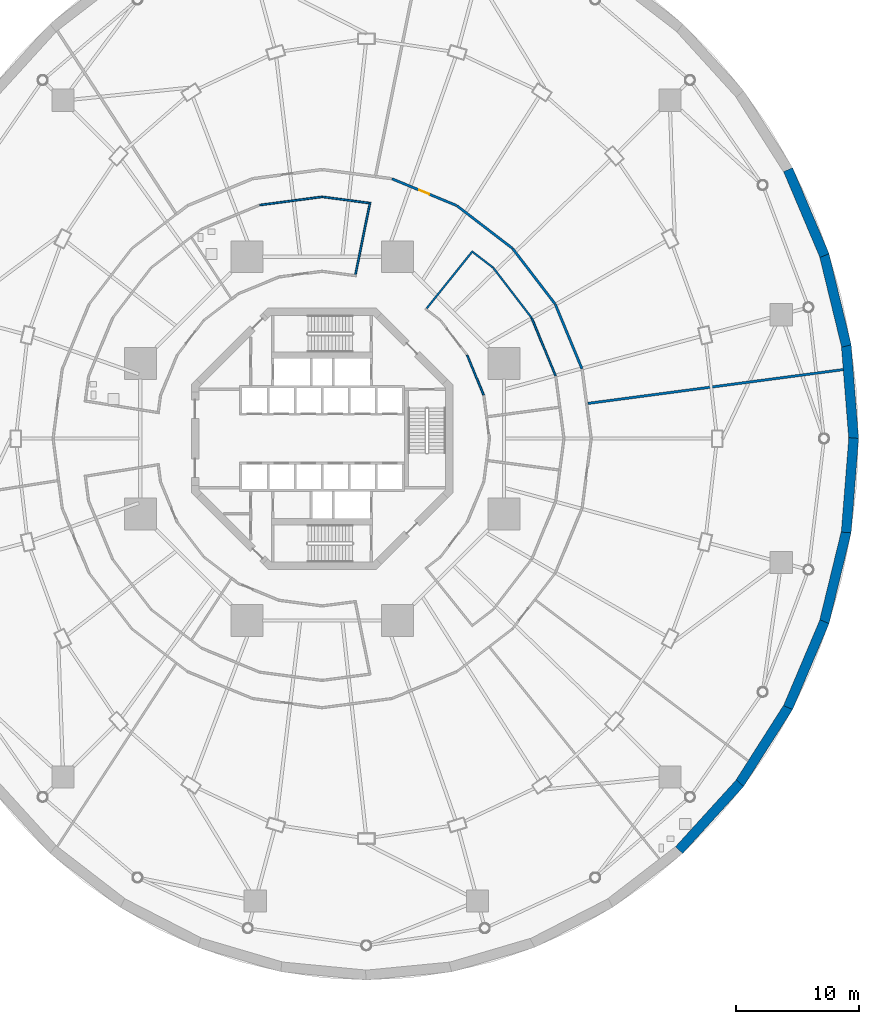
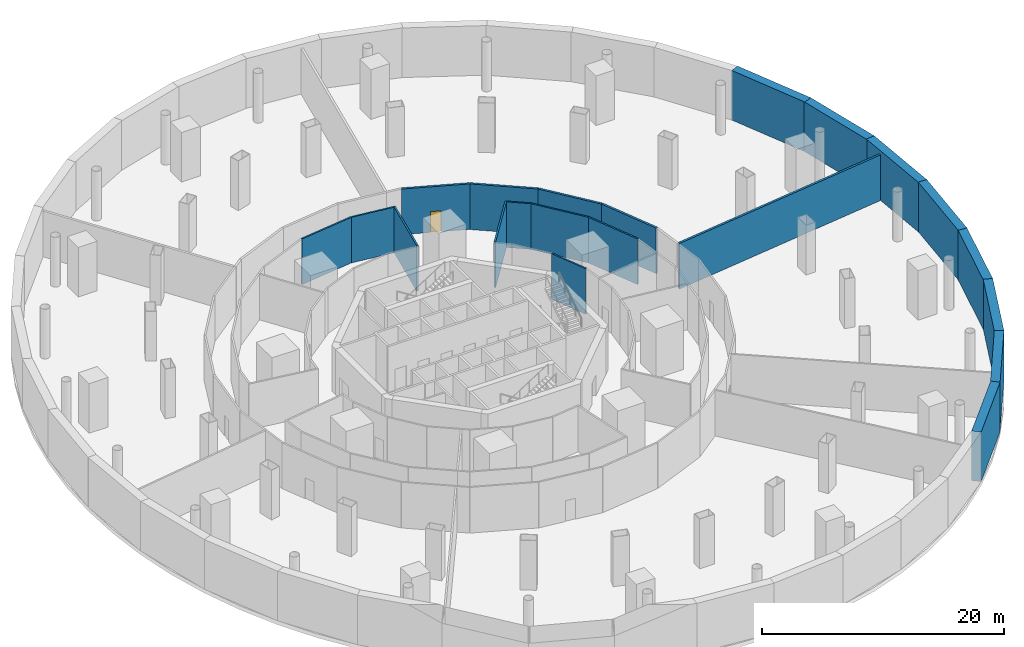
# One storey, part 10 of 14: 21 walls, 1 door, 1 opening.
"""IFC4 building model written with IfcOpenShell, lengths in metres."""

from ifc_helpers import new_model, si_unit, direction, frame, frame_2d, origin, place, context, subcontext, project, spatial, rectangle, extrude, material, layer, layer_set, type_object, element, fill, save


model = new_model("IFC4")

# Units and contexts
model_context = context("Model", 3, precision=1e-05, world=origin(), true_north=direction((0.0, 1.0)))
body_context = subcontext(model_context, "Body", "Model", "MODEL_VIEW")
ifc_project = project(units=[si_unit("LENGTHUNIT", "METRE"), si_unit("AREAUNIT", "SQUARE_METRE"), si_unit("VOLUMEUNIT", "CUBIC_METRE"), si_unit("PLANEANGLEUNIT", "RADIAN"), si_unit("MASSUNIT", "GRAM", prefix="KILO")], contexts=[model_context])

# Site, building, storey
site_placement = place(None, origin())
site = spatial("IfcSite", under=ifc_project, at=site_placement, CompositionType="ELEMENT")
building_placement = place(site_placement, origin())
building = spatial("IfcBuilding", under=site, at=building_placement, Name="Nagisa Residences", CompositionType="ELEMENT")
storey_placement = place(building_placement, frame((0.0, 0.0, -5.0)))
storey = spatial("IfcBuildingStorey", under=building, at=storey_placement, Name="B1", CompositionType="ELEMENT", Elevation=-5.0)

# Walls
ifc_material_1 = material(Name="Concrete C40", Category="concrete")
ifc_layer_1 = layer(ifc_material_1, 0.800048828125)
ifc_layer_set_1 = layer_set([ifc_layer_1], Name="Basement retaining wall 800")
wall_type_1 = type_object("IfcWallType", Name="Basement retaining wall 800", PredefinedType="SOLIDWALL", material=ifc_layer_set_1)
wall_1_placement = place(storey_placement, frame((43.20361328125, 0.0498046875, 0.0), z_axis=(0.0, 0.0, 1.0), x_axis=(-0.079287821658, -0.996851764977, 0.0)))
element("IfcWall", 1, at=wall_1_placement, inside=storey, type_object=wall_type_1, Name="wall:B1:ret01", PredefinedType="SOLIDWALL", context=body_context, shape_type="SweptSolid", body=[
    extrude(rectangle(XDim=7.700927734375, YDim=0.800048828125, at=frame_2d((3.8505859375, 0.0))), origin(), (0.0, 0.0, 1.0), 5.0),
])
wall_2_placement = place(storey_placement, frame((42.60888671875, -7.528564453125, 0.0), z_axis=(0.0, 0.0, 1.0), x_axis=(-0.236659774211, -0.971592585022, 0.0)))
element("IfcWall", 2, at=wall_2_placement, inside=storey, type_object=wall_type_1, Name="wall:B1:ret02", PredefinedType="SOLIDWALL", context=body_context, shape_type="SweptSolid", body=[
    extrude(rectangle(XDim=7.66064453125, YDim=0.800048828125, at=frame_2d((3.830322265625, 0.0))), origin(), (0.0, 0.0, 1.0), 5.0),
])
wall_3_placement = place(storey_placement, frame((40.8271484375, -14.876953125, 0.0), z_axis=(0.0, 0.0, 1.0), x_axis=(-0.390299354435, -0.920688011179, 0.0)))
element("IfcWall", 3, at=wall_3_placement, inside=storey, type_object=wall_type_1, Name="wall:B1:ret03", PredefinedType="SOLIDWALL", context=body_context, shape_type="SweptSolid", body=[
    extrude(rectangle(XDim=7.58447265625, YDim=0.800048828125, at=frame_2d((3.792236328125, 0.0))), origin(), (0.0, 0.0, 1.0), 5.0),
])
wall_4_placement = place(storey_placement, frame((37.913330078125, -21.771728515625, 0.0), z_axis=(0.0, 0.0, 1.0), x_axis=(-0.53696630052, -0.843603693748, 0.0)))
element("IfcWall", 4, at=wall_4_placement, inside=storey, type_object=wall_type_1, Name="wall:B1:ret04", PredefinedType="SOLIDWALL", context=body_context, shape_type="SweptSolid", body=[
    extrude(rectangle(XDim=7.480224609375, YDim=0.800048828125, at=frame_2d((3.740234375, 0.0))), origin(), (0.0, 0.0, 1.0), 5.0),
])
wall_5_placement = place(storey_placement, frame((33.95703125, -28.002685546875, 0.0), z_axis=(0.0, 0.0, 1.0), x_axis=(-0.672652980875, -0.73995808484, 0.0)))
element("IfcWall", 5, at=wall_5_placement, inside=storey, type_object=wall_type_1, Name="wall:B1:ret05", PredefinedType="SOLIDWALL", context=body_context, shape_type="SweptSolid", body=[
    extrude(rectangle(XDim=7.35986328125, YDim=0.800048828125, at=frame_2d((3.679931640625, 0.0))), origin(), (0.0, 0.0, 1.0), 5.0),
])
wall_6_placement = place(storey_placement, frame((37.866943359375, 21.85986328125, 0.0), z_axis=(0.0, 0.0, 1.0), x_axis=(0.390299354435, -0.920688011179, 0.0)))
element("IfcWall", 6, at=wall_6_placement, inside=storey, type_object=wall_type_1, Name="wall:B1:ret34", PredefinedType="SOLIDWALL", context=body_context, shape_type="SweptSolid", body=[
    extrude(rectangle(XDim=7.58447265625, YDim=0.800048828125, at=frame_2d((3.792236328125, 0.0))), origin(), (0.0, 0.0, 1.0), 5.0),
])
wall_7_placement = place(storey_placement, frame((40.7958984375, 14.9716796875, 0.0), z_axis=(0.0, 0.0, 1.0), x_axis=(0.236659774211, -0.971592585022, 0.0)))
element("IfcWall", 7, at=wall_7_placement, inside=storey, type_object=wall_type_1, Name="wall:B1:ret35", PredefinedType="SOLIDWALL", context=body_context, shape_type="SweptSolid", body=[
    extrude(rectangle(XDim=7.66064453125, YDim=0.800048828125, at=frame_2d((3.830322265625, 0.0))), origin(), (0.0, 0.0, 1.0), 5.0),
])
wall_8_placement = place(storey_placement, frame((42.593017578125, 7.626953125, 0.0), z_axis=(0.0, 0.0, 1.0), x_axis=(0.079287821658, -0.996851764977, 0.0)))
element("IfcWall", 8, at=wall_8_placement, inside=storey, type_object=wall_type_1, Name="wall:B1:ret36", PredefinedType="SOLIDWALL", context=body_context, shape_type="SweptSolid", body=[
    extrude(rectangle(XDim=7.700927734375, YDim=0.800048828125, at=frame_2d((3.8505859375, 0.0))), origin(), (0.0, 0.0, 1.0), 5.0),
])

# Wall, opening, door
ifc_material_2 = material(Name="Gypsum board on steel studs", Category="steel")
ifc_layer_2 = layer(ifc_material_2, 0.199951171875)
ifc_layer_set_2 = layer_set([ifc_layer_2], Name="Plant room wall EI120 200")
wall_type_2 = type_object("IfcWallType", Name="Plant room wall EI120 200", PredefinedType="PARTITIONING", material=ifc_layer_set_2)
wall_9_placement = place(storey_placement, frame((5.674560546875, 21.11962890625, 0.0), z_axis=(0.0, 0.0, 1.0), x_axis=(0.923877460413, -0.382688434814, 0.0)))
wall_9 = element("IfcWall", 9, at=wall_9_placement, inside=storey, type_object=wall_type_2, Name="wall:B1:am094", PredefinedType="PARTITIONING", context=body_context, shape_type="SweptSolid", body=[
    extrude(rectangle(XDim=5.67919921875, YDim=0.199951171875, at=frame_2d((2.839599609375, 0.0))), origin(), (0.0, 0.0, 1.0), 4.60009765625),
])
opening_placement = place(wall_9_placement, frame((2.389404296875, 0.0, 0.0)))
opening = element("IfcOpeningElement", 10, at=opening_placement, cuts=wall_9, Name="Opening B1-A08", PredefinedType="OPENING", context=body_context, shape_type="SweptSolid", body=[
    extrude(rectangle(XDim=0.89990234375, YDim=2.10009765625, at=frame_2d((0.449951171875, 1.050048828125))), frame((0.0, 0.10986328125, 0.0), z_axis=(0.0, -1.0, 0.0), x_axis=(1.0, 0.0, 0.0)), (0.0, 0.0, 1.0), 0.219970703125),
])
ifc_material_3 = material(Name="Steel fire door", Category="steel")
door_type = type_object("IfcDoorType", Name="Fire door EI120 900x2100 single swing", OperationType="NOTDEFINED", PredefinedType="DOOR", material=ifc_material_3)
door_placement = place(opening_placement, origin())
door = element("IfcDoor", 11, at=door_placement, inside=storey, type_object=door_type, Name="Hydrotherapy plant room door", OperationType="SINGLE_SWING_LEFT", OverallHeight=2.10009765625, OverallWidth=0.89990234375, PredefinedType="DOOR", context=body_context, shape_type="SweptSolid", body=[
    extrude(rectangle(XDim=0.89990234375, YDim=2.10009765625, at=frame_2d((0.449951171875, 1.050048828125))), frame((0.0, 0.02490234375, 0.0), z_axis=(0.0, -1.0, 0.0), x_axis=(1.0, 0.0, 0.0)), (0.0, 0.0, 1.0), 0.050048828125),
])
fill(opening, door)

# Walls
for number, where, z_axis, x_axis, name in (
    (12, (10.947509765625, 18.931396484375, 0.0), (0.0, 0.0, 1.0), (0.793337814523, -0.608781662049, 0.0), "wall:B1:am095"),
    (13, (15.47412109375, 15.452880859375, 0.0), (0.0, 0.0, 1.0), (0.608781662049, -0.793337814523, 0.0), "wall:B1:am096"),
):
    element("IfcWall", number, at=place(storey_placement, frame(where, z_axis=z_axis, x_axis=x_axis)), inside=storey, type_object=wall_type_2, Name=name, PredefinedType="PARTITIONING", context=body_context, shape_type="SweptSolid", body=[
        extrude(rectangle(XDim=5.678955078125, YDim=0.199951171875, at=frame_2d((2.83935546875, 0.0))), origin(), (0.0, 0.0, 1.0), 4.60009765625),
    ])
wall_10_placement = place(storey_placement, frame((18.9462890625, 10.92138671875, 0.0), z_axis=(0.0, 0.0, 1.0), x_axis=(0.382688434814, -0.923877460413, 0.0)))
element("IfcWall", 14, at=wall_10_placement, inside=storey, type_object=wall_type_2, Name="wall:B1:am097", PredefinedType="PARTITIONING", context=body_context, shape_type="SweptSolid", body=[
    extrude(rectangle(XDim=5.67919921875, YDim=0.199951171875, at=frame_2d((2.839599609375, 0.0))), origin(), (0.0, 0.0, 1.0), 4.60009765625),
])
wall_11_placement = place(storey_placement, frame((21.594970703125, 2.8603515625, 0.0), z_axis=(0.0, 0.0, 1.0), x_axis=(0.991340976906, 0.131312861164, 0.0)))
element("IfcWall", 15, at=wall_11_placement, inside=storey, type_object=wall_type_2, Name="wall:B1:am099", PredefinedType="PARTITIONING", context=body_context, shape_type="SweptSolid", body=[
    extrude(rectangle(XDim=20.938720703125, YDim=0.199951171875, at=frame_2d((10.46923828125, 0.0))), origin(), (0.0, 0.0, 1.0), 4.60009765625),
])
ifc_material_4 = material(Name="Gypsum board on steel studs", Category="steel")
ifc_layer_3 = layer(ifc_material_4, 0.14990234375)
ifc_layer_set_3 = layer_set([ifc_layer_3], Name="Room partition EI60 150")
wall_type_3 = type_object("IfcWallType", Name="Room partition EI60 150", PredefinedType="PARTITIONING", material=ifc_layer_set_3)
wall_12_placement = place(storey_placement, frame((-0.01171875, 19.650146484375, 0.0), z_axis=(0.0, 0.0, 1.0), x_axis=(-0.991445342988, -0.130522533942, 0.0)))
element("IfcWall", 16, at=wall_12_placement, inside=storey, type_object=wall_type_3, Name="wall:B1:am047", PredefinedType="PARTITIONING", context=body_context, shape_type="SweptSolid", body=[
    extrude(rectangle(XDim=5.1064453125, YDim=0.14990234375, at=frame_2d((2.55322265625, 0.0))), origin(), (0.0, 0.0, 1.0), 4.60009765625),
])
wall_13_placement = place(storey_placement, frame((2.702880859375, 13.31982421875, 0.0), z_axis=(0.0, 0.0, 1.0), x_axis=(0.198863172252, 0.980027264275, 0.0)))
element("IfcWall", 17, at=wall_13_placement, inside=storey, type_object=wall_type_3, Name="wall:B1:am049", PredefinedType="PARTITIONING", context=body_context, shape_type="SweptSolid", body=[
    extrude(rectangle(XDim=6.014404296875, YDim=0.14990234375, at=frame_2d((3.00732421875, 0.0))), origin(), (0.0, 0.0, 1.0), 4.60009765625),
])
wall_14_placement = place(storey_placement, frame((3.8095703125, 19.150390625, 0.0), z_axis=(0.0, 0.0, 1.0), x_axis=(-0.991452993905, 0.130464404636, 0.0)))
element("IfcWall", 18, at=wall_14_placement, inside=storey, type_object=wall_type_3, Name="wall:B1:am051", PredefinedType="PARTITIONING", context=body_context, shape_type="SweptSolid", body=[
    extrude(rectangle(XDim=3.83056640625, YDim=0.14990234375, at=frame_2d((1.915283203125, 0.0))), origin(), (0.0, 0.0, 1.0), 4.60009765625),
])
wall_15_placement = place(storey_placement, frame((11.782470703125, 6.7890625, 0.0), z_axis=(0.0, 0.0, 1.0), x_axis=(0.382677866108, -0.923881838111, 0.0)))
element("IfcWall", 19, at=wall_15_placement, inside=storey, type_object=wall_type_3, Name="wall:B1:am059", PredefinedType="PARTITIONING", context=body_context, shape_type="SweptSolid", body=[
    extrude(rectangle(XDim=3.52685546875, YDim=0.14990234375, at=frame_2d((1.763427734375, 0.0))), origin(), (0.0, 0.0, 1.0), 4.60009765625),
])
wall_16_placement = place(storey_placement, frame((12.245361328125, 15.257080078125, 0.0), z_axis=(0.0, 0.0, 1.0), x_axis=(-0.625939450801, -0.779871658628, 0.0)))
element("IfcWall", 20, at=wall_16_placement, inside=storey, type_object=wall_type_3, Name="wall:B1:am061", PredefinedType="PARTITIONING", context=body_context, shape_type="SweptSolid", body=[
    extrude(rectangle(XDim=6.00146484375, YDim=0.14990234375, at=frame_2d((3.000732421875, 0.0))), origin(), (0.0, 0.0, 1.0), 4.60009765625),
])
wall_17_placement = place(storey_placement, frame((13.886474609375, 13.903076171875, 0.0), z_axis=(0.0, 0.0, 1.0), x_axis=(-0.793344054907, 0.608773529766, 0.0)))
element("IfcWall", 21, at=wall_17_placement, inside=storey, type_object=wall_type_3, Name="wall:B1:am071", PredefinedType="PARTITIONING", context=body_context, shape_type="SweptSolid", body=[
    extrude(rectangle(XDim=2.052978515625, YDim=0.14990234375, at=frame_2d((1.0263671875, 0.0))), origin(), (0.0, 0.0, 1.0), 4.60009765625),
])
for number, where, z_axis, x_axis, name in (
    (22, (17.01171875, 9.835205078125, 0.0), (0.0, 0.0, 1.0), (-0.608760705644, 0.793353895348, 0.0), "wall:B1:am074"),
    (23, (18.9775390625, 5.09716796875, 0.0), (0.0, 0.0, 1.0), (-0.382672704618, 0.923883976017, 0.0), "wall:B1:am079"),
):
    element("IfcWall", number, at=place(storey_placement, frame(where, z_axis=z_axis, x_axis=x_axis)), inside=storey, type_object=wall_type_3, Name=name, PredefinedType="PARTITIONING", context=body_context, shape_type="SweptSolid", body=[
        extrude(rectangle(XDim=5.1064453125, YDim=0.14990234375, at=frame_2d((2.55322265625, 0.0))), origin(), (0.0, 0.0, 1.0), 4.60009765625),
    ])

save(model, "model.ifc")
